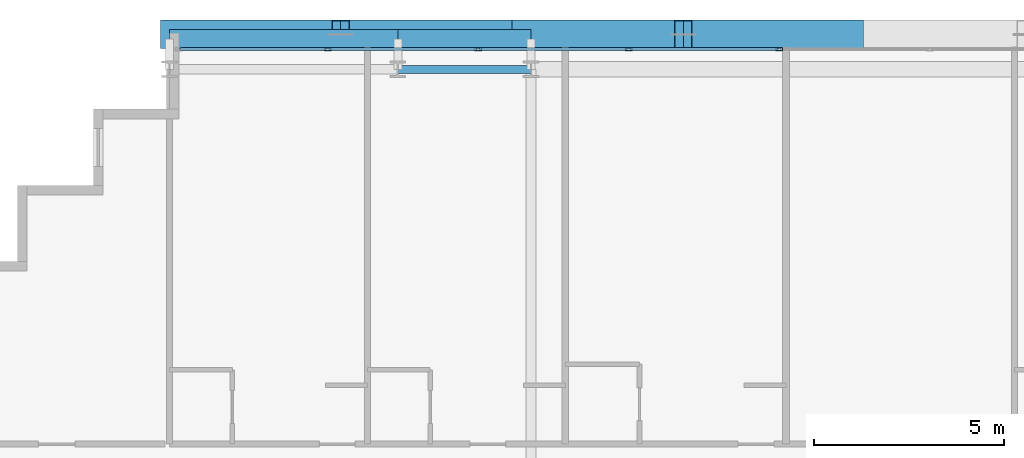
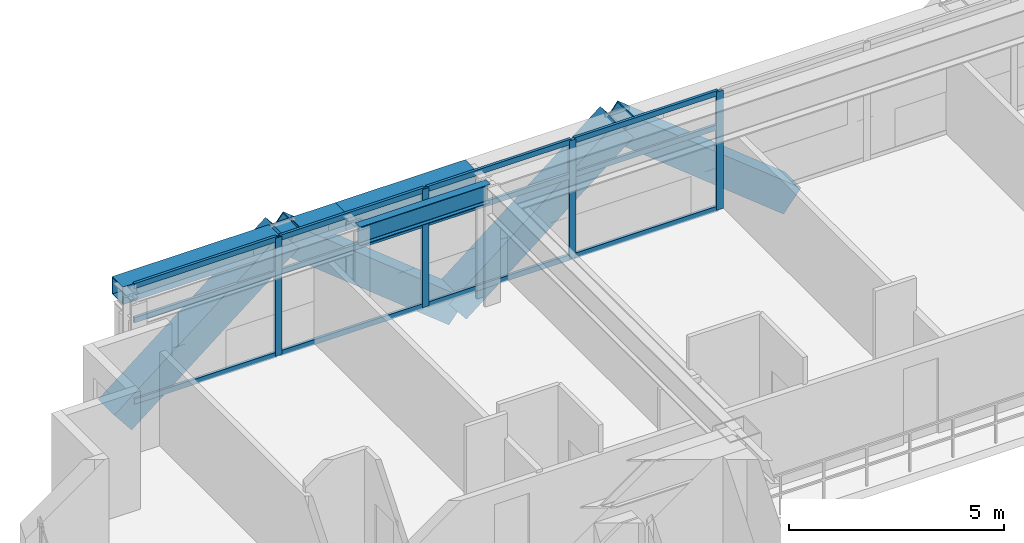
# One storey, part 18 of 36: 20 members, 3 beams, 1 element without a shape of its own.
"""IFC4 building model written with IfcOpenShell, lengths in metres."""

from ifc_helpers import new_model, si_unit, direction, frame, origin, origin_2d, place, context, subcontext, project, spatial, hollow_rectangle, i_section, extrude, source, transform, mapped, material, layer, layer_set, material_profile, profile_set, type_object, element, aggregate, save


model = new_model("IFC4")

# Units and contexts
model_context = context("Model", 3, precision=1e-05, world=origin(), true_north=direction((0.0, 1.0)))
body_context = subcontext(model_context, "Body", "Model", "MODEL_VIEW")
ifc_project = project(units=[si_unit("LENGTHUNIT", "METRE"), si_unit("AREAUNIT", "SQUARE_METRE"), si_unit("VOLUMEUNIT", "CUBIC_METRE"), si_unit("PLANEANGLEUNIT", "RADIAN"), si_unit("MASSUNIT", "GRAM", prefix="KILO")], contexts=[model_context])

# Site, building, storey
site_placement = place(None, origin())
site = spatial("IfcSite", under=ifc_project, at=site_placement, CompositionType="ELEMENT")
building_placement = place(site_placement, origin())
building = spatial("IfcBuilding", under=site, at=building_placement, Name="Ocotamira Hotel", CompositionType="ELEMENT")
storey_placement = place(building_placement, frame((0.0, 0.0, 97.199951171875)))
storey = spatial("IfcBuildingStorey", under=building, at=storey_placement, Name="L23", CompositionType="ELEMENT", Elevation=97.199951171875)

# Beams
ifc_material_1 = material(Name="Steel ASTM A992 Grade 50", Category="steel")
ifc_material_profile_1 = material_profile(ifc_material_1, i_section(OverallWidth=0.2099609375, OverallDepth=0.537109375, WebThickness=0.010986328125, FlangeThickness=0.017333984375, FilletRadius=0.012939453125, at=origin_2d()), Name="W21X68")
ifc_profile_set_1 = profile_set([ifc_material_profile_1], Name="Steel ASTM A992 Grade 50")
beam_type_1 = type_object("IfcBeamType", Name="BM-SEC-W21X68", PredefinedType="JOIST", material=ifc_profile_set_1)
shared_shape_1 = source(origin(), body_context, "Body", "SweptSolid", [
    extrude(i_section(OverallWidth=0.2099609375, OverallDepth=0.537109375, WebThickness=0.010986328125, FlangeThickness=0.017333984375, FilletRadius=0.012939453125, at=origin_2d()), origin(), (0.0, 0.0, 1.0), 3.5),
])
beam_1_placement = place(storey_placement, frame((20.0, 49.050048828125, 3.091552734375), z_axis=(1.0, 0.0, 0.0), x_axis=(0.0, 1.0, 0.0)))
element("IfcBeam", 1, at=beam_1_placement, inside=storey, type_object=beam_type_1, Name="L23 Girder Y49.05 X20-23.5", PredefinedType="JOIST", context=body_context, shape_type="MappedRepresentation", body=[
    mapped(shared_shape_1, transform((0.0, 0.0, 0.0), scale=1.0)),
])
ifc_material_2 = material(Name="Steel ASTM A500 Grade C", Category="steel")
ifc_material_profile_2 = material_profile(ifc_material_2, hollow_rectangle(XDim=0.5, YDim=0.5, WallThickness=0.02001953125, at=origin_2d()), Name="HSS500X500X20")
ifc_profile_set_2 = profile_set([ifc_material_profile_2], Name="Steel ASTM A500 Grade C")
beam_type_2 = type_object("IfcBeamType", Name="BM-SPAN-HSS500", PredefinedType="USERDEFINED", material=ifc_profile_set_2)
shared_shape_2 = source(origin(), body_context, "Body", "SweptSolid", [
    extrude(hollow_rectangle(XDim=0.5, YDim=0.5, WallThickness=0.02001953125, at=origin_2d()), origin(), (0.0, 0.0, 1.0), 6.0),
])
beam_2_placement = place(storey_placement, frame((14.0, 49.85009765625, 3.110107421875), z_axis=(1.0, 0.0, 0.0), x_axis=(0.0, 1.0, 0.0)))
element("IfcBeam", 2, at=beam_2_placement, inside=storey, type_object=beam_type_2, Name="L23 Edge Spandrel N X14-20", ObjectType="SPANDREL", PredefinedType="USERDEFINED", context=body_context, shape_type="MappedRepresentation", body=[
    mapped(shared_shape_2, transform((0.0, 0.0, 0.0), scale=1.0)),
])
shared_shape_3 = source(origin(), body_context, "Body", "SweptSolid", [
    extrude(hollow_rectangle(XDim=0.5, YDim=0.5, WallThickness=0.02001953125, at=origin_2d()), origin(), (0.0, 0.0, 1.0), 3.5),
])
beam_3_placement = place(storey_placement, frame((20.0, 49.85009765625, 3.110107421875), z_axis=(1.0, 0.0, 0.0), x_axis=(0.0, 1.0, 0.0)))
element("IfcBeam", 3, at=beam_3_placement, inside=storey, type_object=beam_type_2, Name="L23 Edge Spandrel N X20-23.5", ObjectType="SPANDREL", PredefinedType="USERDEFINED", context=body_context, shape_type="MappedRepresentation", body=[
    mapped(shared_shape_3, transform((0.0, 0.0, 0.0), scale=1.0)),
])

# Members
ifc_material_3 = material(Name="Pale-metal coated steel ASTM A913 Grade 65", Category="steel")
ifc_material_profile_3 = material_profile(ifc_material_3, hollow_rectangle(XDim=0.75, YDim=0.75, WallThickness=0.028076171875, at=origin_2d()), Name="BOX750X750X28")
ifc_profile_set_3 = profile_set([ifc_material_profile_3], Name="Pale-metal coated steel ASTM A913 Grade 65")
member_type_1 = type_object("IfcMemberType", Name="MEM-EXO-BOX750", PredefinedType="BRACE", material=ifc_profile_set_3)
shared_shape_4 = source(origin(), body_context, "Body", "SweptSolid", [
    extrude(hollow_rectangle(XDim=0.75, YDim=0.75, WallThickness=0.028076171875, at=origin_2d()), origin(), (0.0, 0.0, 1.0), 5.762939453125),
])
for number, where, z_axis, x_axis, name in (
    (4, (14.0, 49.969970703125, -0.489990234375), (0.780860543151, 0.0, 0.624705380279), (0.0, 1.0, 0.0), "L23 Exoskeleton Diagrid N0.1"),
    (5, (23.0, 49.969970703125, -0.489990234375), (-0.780860543151, 0.0, 0.624705380279), (0.0, -1.0, 0.0), "L23 Exoskeleton Diagrid N0.2"),
    (6, (23.0, 49.969970703125, -0.489990234375), (0.780860543151, 0.0, 0.624705380279), (0.0, 1.0, 0.0), "L23 Exoskeleton Diagrid N1.1"),
    (7, (32.0, 49.969970703125, -0.489990234375), (-0.780860543151, 0.0, 0.624705380279), (0.0, -1.0, 0.0), "L23 Exoskeleton Diagrid N1.2"),
):
    element("IfcMember", number, at=place(storey_placement, frame(where, z_axis=z_axis, x_axis=x_axis)), inside=storey, type_object=member_type_1, Name=name, PredefinedType="BRACE", context=body_context, shape_type="MappedRepresentation", body=[
        mapped(shared_shape_4, transform((0.0, 0.0, 0.0), scale=1.0)),
    ])

# Curtain wall, members
ifc_material_4 = material(Name="Anodised pale-metal aluminium and solar glass", Category="aluminium")
ifc_layer = layer(ifc_material_4, 0.179931640625)
ifc_layer_set = layer_set([ifc_layer], Name="Anodised pale-metal aluminium and solar glass")
curtain_wall_type = type_object("IfcCurtainWallType", Name="CW-SYS3-Z2", PredefinedType="NOTDEFINED", material=ifc_layer_set)
curtain_wall_placement = place(storey_placement, origin())
curtain_wall = element("IfcCurtainWall", 8, at=curtain_wall_placement, inside=storey, type_object=curtain_wall_type, Name="L23 Curtain Wall CW-3 CW-L23-N", PredefinedType="NOTDEFINED")
ifc_material_5 = material(Name="Anodised pale-metal aluminium 6063-T6", Category="aluminium")
ifc_material_profile_4 = material_profile(ifc_material_5, hollow_rectangle(XDim=0.074951171875, YDim=0.14990234375, WallThickness=0.006103515625, at=origin_2d()), Name="HSS150X75X6")
ifc_profile_set_4 = profile_set([ifc_material_profile_4], Name="Anodised pale-metal aluminium 6063-T6")
member_type_2 = type_object("IfcMemberType", Name="CWT-150X75", PredefinedType="USERDEFINED", material=ifc_profile_set_4)
shared_shape_5 = source(origin(), body_context, "Body", "SweptSolid", [
    extrude(hollow_rectangle(XDim=0.074951171875, YDim=0.14990234375, WallThickness=0.006103515625, at=origin_2d()), origin(), (0.0, 0.0, 1.0), 3.83544921875),
])
member_1_placement = place(storey_placement, frame((14.280029296875, 49.580078125, 0.03759765625), z_axis=(1.0, 0.0, 0.0), x_axis=(0.0, 1.0, 0.0)))
member_1 = element("IfcMember", 9, at=member_1_placement, type_object=member_type_2, Name="CW-3 transom 1.1", ObjectType="TRANSOM", PredefinedType="USERDEFINED", context=body_context, shape_type="MappedRepresentation", body=[
    mapped(shared_shape_5, transform((0.0, 0.0, 0.0), scale=1.0)),
])
member_2_placement = place(storey_placement, frame((14.280029296875, 49.580078125, 2.35009765625), z_axis=(1.0, 0.0, 0.0), x_axis=(0.0, 1.0, 0.0)))
member_2 = element("IfcMember", 10, at=member_2_placement, type_object=member_type_2, Name="CW-3 transom 1.2", ObjectType="TRANSOM", PredefinedType="USERDEFINED", context=body_context, shape_type="MappedRepresentation", body=[
    mapped(shared_shape_5, transform((0.0, 0.0, 0.0), scale=1.0)),
])
member_3_placement = place(storey_placement, frame((14.280029296875, 49.580078125, 3.322509765625), z_axis=(1.0, 0.0, 0.0), x_axis=(0.0, 1.0, 0.0)))
member_3 = element("IfcMember", 11, at=member_3_placement, type_object=member_type_2, Name="CW-3 transom 1.3", ObjectType="TRANSOM", PredefinedType="USERDEFINED", context=body_context, shape_type="MappedRepresentation", body=[
    mapped(shared_shape_5, transform((0.0, 0.0, 0.0), scale=1.0)),
])
shared_shape_6 = source(origin(), body_context, "Body", "SweptSolid", [
    extrude(hollow_rectangle(XDim=0.074951171875, YDim=0.14990234375, WallThickness=0.006103515625, at=origin_2d()), origin(), (0.0, 0.0, 1.0), 3.87548828125),
])
member_4_placement = place(storey_placement, frame((18.195556640625, 49.580078125, 0.03759765625), z_axis=(1.0, 0.0, 0.0), x_axis=(0.0, 1.0, 0.0)))
member_4 = element("IfcMember", 12, at=member_4_placement, type_object=member_type_2, Name="CW-3 transom 2.1", ObjectType="TRANSOM", PredefinedType="USERDEFINED", context=body_context, shape_type="MappedRepresentation", body=[
    mapped(shared_shape_6, transform((0.0, 0.0, 0.0), scale=1.0)),
])
member_5_placement = place(storey_placement, frame((18.195556640625, 49.580078125, 2.35009765625), z_axis=(1.0, 0.0, 0.0), x_axis=(0.0, 1.0, 0.0)))
member_5 = element("IfcMember", 13, at=member_5_placement, type_object=member_type_2, Name="CW-3 transom 2.2", ObjectType="TRANSOM", PredefinedType="USERDEFINED", context=body_context, shape_type="MappedRepresentation", body=[
    mapped(shared_shape_6, transform((0.0, 0.0, 0.0), scale=1.0)),
])
member_6_placement = place(storey_placement, frame((18.195556640625, 49.580078125, 3.322509765625), z_axis=(1.0, 0.0, 0.0), x_axis=(0.0, 1.0, 0.0)))
member_6 = element("IfcMember", 14, at=member_6_placement, type_object=member_type_2, Name="CW-3 transom 2.3", ObjectType="TRANSOM", PredefinedType="USERDEFINED", context=body_context, shape_type="MappedRepresentation", body=[
    mapped(shared_shape_6, transform((0.0, 0.0, 0.0), scale=1.0)),
])
member_7_placement = place(storey_placement, frame((22.151123046875, 49.580078125, 0.03759765625), z_axis=(1.0, 0.0, 0.0), x_axis=(0.0, 1.0, 0.0)))
member_7 = element("IfcMember", 15, at=member_7_placement, type_object=member_type_2, Name="CW-3 transom 3.1", ObjectType="TRANSOM", PredefinedType="USERDEFINED", context=body_context, shape_type="MappedRepresentation", body=[
    mapped(shared_shape_6, transform((0.0, 0.0, 0.0), scale=1.0)),
])
member_8_placement = place(storey_placement, frame((22.151123046875, 49.580078125, 2.35009765625), z_axis=(1.0, 0.0, 0.0), x_axis=(0.0, 1.0, 0.0)))
member_8 = element("IfcMember", 16, at=member_8_placement, type_object=member_type_2, Name="CW-3 transom 3.2", ObjectType="TRANSOM", PredefinedType="USERDEFINED", context=body_context, shape_type="MappedRepresentation", body=[
    mapped(shared_shape_6, transform((0.0, 0.0, 0.0), scale=1.0)),
])
member_9_placement = place(storey_placement, frame((22.151123046875, 49.580078125, 3.322509765625), z_axis=(1.0, 0.0, 0.0), x_axis=(0.0, 1.0, 0.0)))
member_9 = element("IfcMember", 17, at=member_9_placement, type_object=member_type_2, Name="CW-3 transom 3.3", ObjectType="TRANSOM", PredefinedType="USERDEFINED", context=body_context, shape_type="MappedRepresentation", body=[
    mapped(shared_shape_6, transform((0.0, 0.0, 0.0), scale=1.0)),
])
member_10_placement = place(storey_placement, frame((26.106689453125, 49.580078125, 0.03759765625), z_axis=(1.0, 0.0, 0.0), x_axis=(0.0, 1.0, 0.0)))
member_10 = element("IfcMember", 18, at=member_10_placement, type_object=member_type_2, Name="CW-3 transom 4.1", ObjectType="TRANSOM", PredefinedType="USERDEFINED", context=body_context, shape_type="MappedRepresentation", body=[
    mapped(shared_shape_6, transform((0.0, 0.0, 0.0), scale=1.0)),
])
member_11_placement = place(storey_placement, frame((26.106689453125, 49.580078125, 2.35009765625), z_axis=(1.0, 0.0, 0.0), x_axis=(0.0, 1.0, 0.0)))
member_11 = element("IfcMember", 19, at=member_11_placement, type_object=member_type_2, Name="CW-3 transom 4.2", ObjectType="TRANSOM", PredefinedType="USERDEFINED", context=body_context, shape_type="MappedRepresentation", body=[
    mapped(shared_shape_6, transform((0.0, 0.0, 0.0), scale=1.0)),
])
member_12_placement = place(storey_placement, frame((26.106689453125, 49.580078125, 3.322509765625), z_axis=(1.0, 0.0, 0.0), x_axis=(0.0, 1.0, 0.0)))
member_12 = element("IfcMember", 20, at=member_12_placement, type_object=member_type_2, Name="CW-3 transom 4.3", ObjectType="TRANSOM", PredefinedType="USERDEFINED", context=body_context, shape_type="MappedRepresentation", body=[
    mapped(shared_shape_6, transform((0.0, 0.0, 0.0), scale=1.0)),
])
ifc_material_profile_5 = material_profile(ifc_material_5, hollow_rectangle(XDim=0.080078125, YDim=0.179931640625, WallThickness=0.006103515625, at=origin_2d()), Name="HSS180X80X6")
ifc_profile_set_5 = profile_set([ifc_material_profile_5], Name="Anodised pale-metal aluminium 6063-T6")
member_type_3 = type_object("IfcMemberType", Name="CWM-180X75", PredefinedType="MULLION", material=ifc_profile_set_5)
shared_shape_7 = source(origin(), body_context, "Body", "SweptSolid", [
    extrude(hollow_rectangle(XDim=0.080078125, YDim=0.179931640625, WallThickness=0.006103515625, at=origin_2d()), origin(), (0.0, 0.0, 1.0), 3.360107421875),
])
member_13_placement = place(storey_placement, frame((18.155517578125, 49.580078125, 0.0), z_axis=(0.0, 0.0, 1.0), x_axis=(0.0, 1.0, 0.0)))
member_13 = element("IfcMember", 21, at=member_13_placement, type_object=member_type_3, Name="CW-3 mullion 2", PredefinedType="MULLION", context=body_context, shape_type="MappedRepresentation", body=[
    mapped(shared_shape_7, transform((0.0, 0.0, 0.0), scale=1.0)),
])
member_14_placement = place(storey_placement, frame((22.111083984375, 49.580078125, 0.0), z_axis=(0.0, 0.0, 1.0), x_axis=(0.0, 1.0, 0.0)))
member_14 = element("IfcMember", 22, at=member_14_placement, type_object=member_type_3, Name="CW-3 mullion 3", PredefinedType="MULLION", context=body_context, shape_type="MappedRepresentation", body=[
    mapped(shared_shape_7, transform((0.0, 0.0, 0.0), scale=1.0)),
])
member_15_placement = place(storey_placement, frame((26.066650390625, 49.580078125, 0.0), z_axis=(0.0, 0.0, 1.0), x_axis=(0.0, 1.0, 0.0)))
member_15 = element("IfcMember", 23, at=member_15_placement, type_object=member_type_3, Name="CW-3 mullion 4", PredefinedType="MULLION", context=body_context, shape_type="MappedRepresentation", body=[
    mapped(shared_shape_7, transform((0.0, 0.0, 0.0), scale=1.0)),
])
member_16_placement = place(storey_placement, frame((30.022216796875, 49.580078125, 0.0), z_axis=(0.0, 0.0, 1.0), x_axis=(0.0, 1.0, 0.0)))
member_16 = element("IfcMember", 24, at=member_16_placement, type_object=member_type_3, Name="CW-3 mullion 5", PredefinedType="MULLION", context=body_context, shape_type="MappedRepresentation", body=[
    mapped(shared_shape_7, transform((0.0, 0.0, 0.0), scale=1.0)),
])
aggregate(curtain_wall, [member_13, member_14, member_15, member_16, member_1, member_2, member_3, member_4, member_5, member_6, member_7, member_8, member_9, member_10, member_11, member_12])

save(model, "model.ifc")
